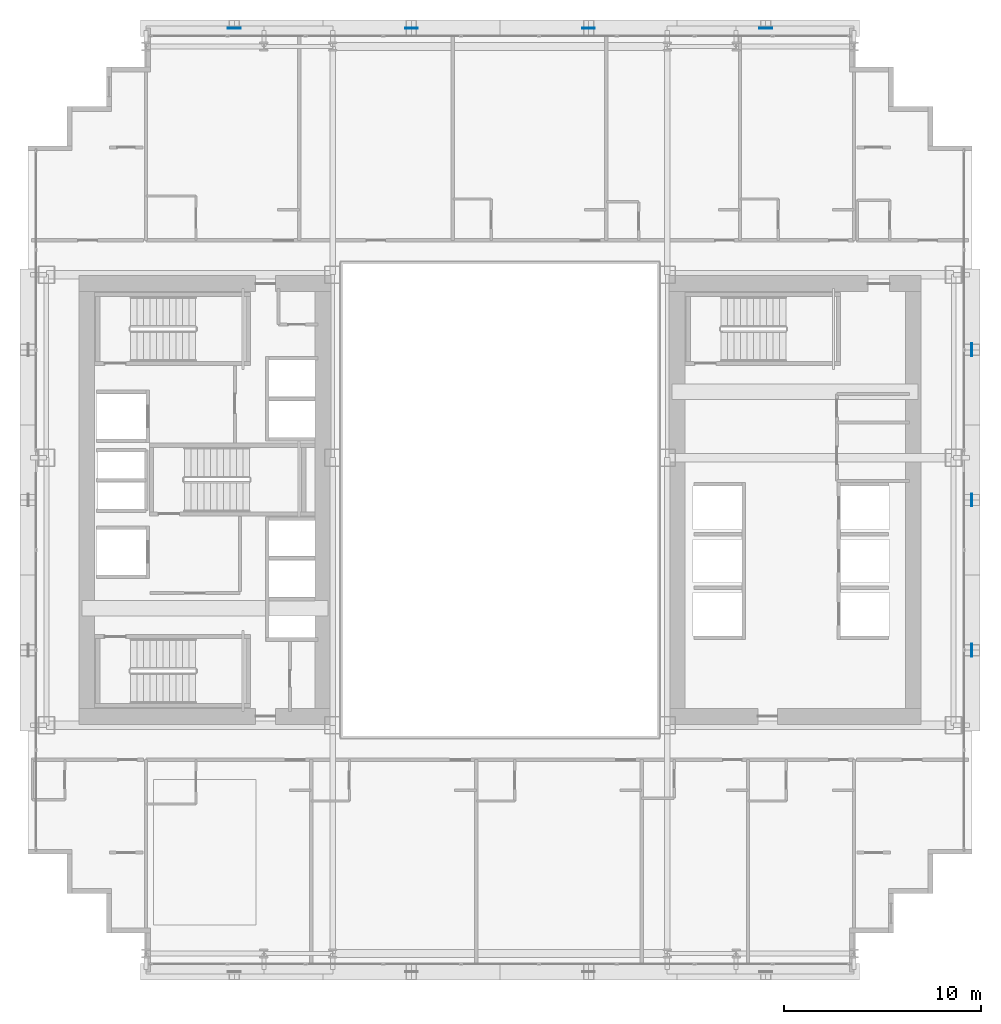
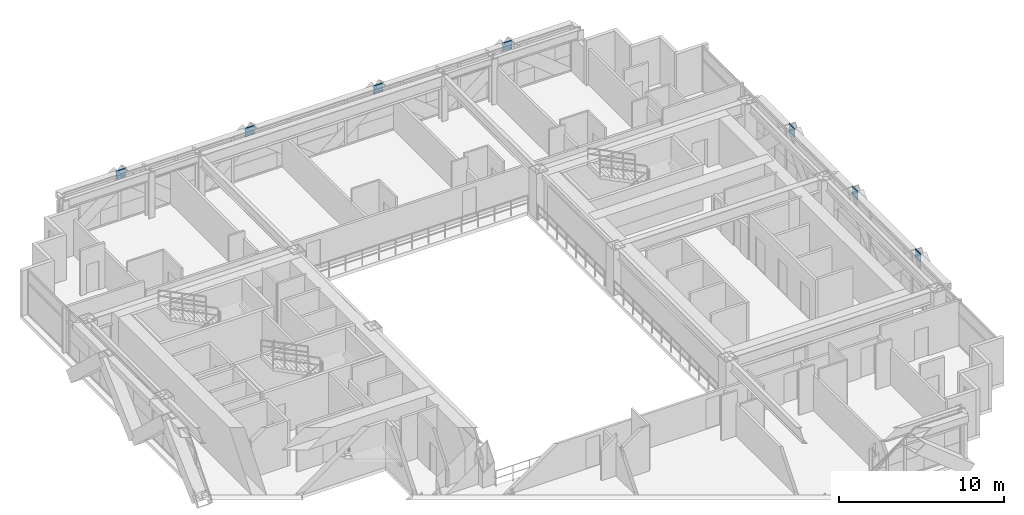
# One storey, part 26 of 35: 7 plates.
"""IFC4 building model written with IfcOpenShell, lengths in metres."""

import ifcopenshell
import ifcopenshell.guid

model = None  # the IFC model being written
_history = None  # IfcOwnerHistory: only IFC2X3 demands one
_inside = {}  # id of a spatial element -> (the spatial element, [elements in it])
_under = {}  # id of a project, library or spatial element -> (it, [spatial elements below it])
_declared = {}  # id of a project -> (the project, [libraries it declares])
_typed = {}  # id of a type object -> (the type object, [elements of that type])
_made_of = {}  # id of a material, layer set ... -> (it, [elements and type objects made of it])


def new_model(schema):
    """Start an empty IFC model of exactly this schema.

    Asked for "IFC4X3", IfcOpenShell would pick the latest addendum, in which some entities
    have other attributes; the version numbers below select the first issue.
    IFC2X3 requires an IfcOwnerHistory on every rooted entity: one is made here for all.
    """
    global model, _history
    if schema == "IFC4X3":
        model = ifcopenshell.file(schema_version=(4, 3, 0, 0))
    else:
        model = ifcopenshell.file(schema=schema)
    _inside.clear()
    _under.clear()
    _declared.clear()
    _typed.clear()
    _made_of.clear()
    _history = None
    if model.schema == "IFC2X3":
        org = make("IfcOrganization", Name="unknown")
        user = make(
            "IfcPersonAndOrganization",
            ThePerson=make("IfcPerson", FamilyName="unknown"),
            TheOrganization=org,
        )
        app = make(
            "IfcApplication",
            ApplicationDeveloper=org,
            Version="unknown",
            ApplicationFullName="unknown",
            ApplicationIdentifier="unknown",
        )
        _history = make(
            "IfcOwnerHistory",
            OwningUser=user,
            OwningApplication=app,
            ChangeAction="ADDED",
            CreationDate=0,
        )
    return model


def make(cls, **values):
    """One entity of the class cls with the attributes given. An attribute that is None is left unset."""
    return model.create_entity(
        cls, **{name: value for name, value in values.items() if value is not None}
    )


def rooted(cls, **values):
    """An entity with a GlobalId (a new one), such as an element, a storey or a relation."""
    return make(cls, GlobalId=ifcopenshell.guid.new(), OwnerHistory=_history, **values)


def si_unit(unit_type, name, prefix=None):
    """IfcSIUnit, for example si_unit("LENGTHUNIT", "METRE", prefix="MILLI")."""
    return make("IfcSIUnit", UnitType=unit_type, Prefix=prefix, Name=name)


def assignment(units):
    """IfcUnitAssignment: the units of a project."""
    return None if units is None else make("IfcUnitAssignment", Units=units)


def point(xyz):
    """IfcCartesianPoint."""
    return None if xyz is None else make("IfcCartesianPoint", Coordinates=xyz)


def direction(xyz):
    """IfcDirection."""
    return None if xyz is None else make("IfcDirection", DirectionRatios=xyz)


def frame(location, z_axis=None, x_axis=None):
    """IfcAxis2Placement3D, a coordinate frame: its origin and axes. An axis left out is left unset."""
    return make(
        "IfcAxis2Placement3D",
        Location=point(location),
        Axis=direction(z_axis),
        RefDirection=direction(x_axis),
    )


def frame_2d(location, x_axis=None):
    """IfcAxis2Placement2D, a coordinate frame in the plane: its origin and x axis."""
    return make(
        "IfcAxis2Placement2D", Location=point(location), RefDirection=direction(x_axis)
    )


def origin():
    """The frame at (0, 0, 0) with its axes left unset."""
    return frame((0.0, 0.0, 0.0))


def origin_2d():
    """The frame at (0, 0) in the plane with its x axis left unset."""
    return frame_2d((0.0, 0.0))


def place(relative_to, where):
    """IfcLocalPlacement: puts the frame where relative to a parent placement (None: the world)."""
    return make(
        "IfcLocalPlacement", PlacementRelTo=relative_to, RelativePlacement=where
    )


def context(
    kind, dimensions, precision=None, world=None, true_north=None, identifier=None
):
    """IfcGeometricRepresentationContext, for example the 3D "Model" context."""
    return make(
        "IfcGeometricRepresentationContext",
        ContextIdentifier=identifier,
        ContextType=kind,
        CoordinateSpaceDimension=dimensions,
        Precision=precision,
        WorldCoordinateSystem=world,
        TrueNorth=true_north,
    )


def subcontext(parent, identifier, kind, view, scale=None):
    """IfcGeometricRepresentationSubContext, for example "Body" below "Model"."""
    return make(
        "IfcGeometricRepresentationSubContext",
        ContextIdentifier=identifier,
        ContextType=kind,
        ParentContext=parent,
        TargetScale=scale,
        TargetView=view,
    )


def project(units=None, contexts=None):
    """IfcProject with its units and contexts."""
    return rooted(
        "IfcProject",
        Name="project",
        RepresentationContexts=contexts,
        UnitsInContext=assignment(units),
    )


def spatial(cls, under=None, at=None, **own):
    """A site, building, storey or space (cls), placed at a placement, below another one or the project."""
    s = rooted(cls, ObjectPlacement=at, **own)
    if under is not None:
        _under.setdefault(under.id(), (under, []))[1].append(s)
    return s


def profile(cls, at=None, kind="AREA", **sizes):
    """A parametric profile (cls). Its sizes go by their IFC names, for example OverallWidth=200.0."""
    return make(cls, ProfileType=kind, Position=at, **sizes)


def rectangle(**sizes):
    """IfcRectangleProfileDef."""
    return profile("IfcRectangleProfileDef", **sizes)


def extrude(swept, where, along, depth):
    """IfcExtrudedAreaSolid: the profile swept, set in the frame where, extruded along a direction by depth."""
    return make(
        "IfcExtrudedAreaSolid",
        SweptArea=swept,
        Position=where,
        ExtrudedDirection=direction(along),
        Depth=depth,
    )


def shape(context_of_items, identifier, shape_type, items):
    """IfcShapeRepresentation: the items that make up one representation, for example the "Body"."""
    return make(
        "IfcShapeRepresentation",
        ContextOfItems=context_of_items,
        RepresentationIdentifier=identifier,
        RepresentationType=shape_type,
        Items=items,
    )


def source(mapping_origin, context_of_items, identifier, shape_type, items):
    """IfcRepresentationMap: a shape defined once, which mapped items show again and again."""
    return make(
        "IfcRepresentationMap",
        MappingOrigin=mapping_origin,
        MappedRepresentation=shape(context_of_items, identifier, shape_type, items),
    )


def transform(
    local_origin,
    x_axis=None,
    y_axis=None,
    z_axis=None,
    scale=None,
    scale2=None,
    scale3=None,
    uniform=True,
):
    """IfcCartesianTransformationOperator3D, or its non-uniform kind. x_axis, y_axis, z_axis: its Axis1, 2, 3."""
    if uniform:
        return make(
            "IfcCartesianTransformationOperator3D",
            Axis1=direction(x_axis),
            Axis2=direction(y_axis),
            LocalOrigin=point(local_origin),
            Scale=scale,
            Axis3=direction(z_axis),
        )
    return make(
        "IfcCartesianTransformationOperator3DnonUniform",
        Axis1=direction(x_axis),
        Axis2=direction(y_axis),
        LocalOrigin=point(local_origin),
        Scale=scale,
        Axis3=direction(z_axis),
        Scale2=scale2,
        Scale3=scale3,
    )


def mapped(mapping_source, mapping_target):
    """IfcMappedItem: shows the shape of a source again, moved by a transform."""
    return make(
        "IfcMappedItem", MappingSource=mapping_source, MappingTarget=mapping_target
    )


def material(Name=None, Category=None):
    """IfcMaterial."""
    return make("IfcMaterial", Name=Name, Category=Category)


def layer(
    of_material, thickness, ventilated=None, Name=None, Category=None, Priority=None
):
    """IfcMaterialLayer: one layer of a wall or slab, of a material (None: an air gap)."""
    return make(
        "IfcMaterialLayer",
        Material=of_material,
        LayerThickness=thickness,
        IsVentilated=ventilated,
        Name=Name,
        Category=Category,
        Priority=Priority,
    )


def layer_set(layers, Name=None):
    """IfcMaterialLayerSet."""
    return make("IfcMaterialLayerSet", MaterialLayers=layers, LayerSetName=Name)


def made_of(thing, what):
    """Note that an element or type object is made of a material, layer set ...; save() writes the relation."""
    if what is not None:
        _made_of.setdefault(what.id(), (what, []))[1].append(thing)
    return thing


def type_object(cls, material=None, **own):
    """A type object (cls), such as IfcWallType, which elements share."""
    return made_of(rooted(cls, **own), material)


def element(
    cls,
    number,
    at=None,
    inside=None,
    cuts=None,
    type_object=None,
    material=None,
    context=None,
    identifier="Body",
    shape_type=None,
    held_by="IfcProductDefinitionShape",
    body=None,
    shapes=None,
    **own,
):
    """One element of the class cls, such as IfcWall. Its Tag is "e" and its number.

    at: its placement. inside: the storey or other place that contains it. cuts: it is an
    opening in that element (IfcRelVoidsElement). A single representation is given by context,
    identifier, shape_type and body (its items); several are given by shapes. held_by: the class
    of the entity that holds the representations. save() writes the other relations.
    """
    e = rooted(cls, Tag="e%d" % number, ObjectPlacement=at, **own)
    if body is not None:
        shapes = [shape(context, identifier, shape_type, body)]
    if shapes is not None:
        e.Representation = make(held_by, Representations=shapes)
    if inside is not None:
        _inside.setdefault(inside.id(), (inside, []))[1].append(e)
    if cuts is not None:
        rooted(
            "IfcRelVoidsElement", RelatingBuildingElement=cuts, RelatedOpeningElement=e
        )
    if type_object is not None:
        _typed.setdefault(type_object.id(), (type_object, []))[1].append(e)
    return made_of(e, material)


def aggregate(whole, parts):
    """IfcRelAggregates: a whole, such as a stair, and the parts it consists of."""
    return rooted("IfcRelAggregates", RelatingObject=whole, RelatedObjects=parts)


def save(model, path):
    """Write the relations noted so far, then the file.

    IfcRelAggregates (storeys below a building ...), IfcRelContainedInSpatialStructure (elements
    in a storey), IfcRelDefinesByType, IfcRelAssociatesMaterial and IfcRelDeclares: one each for
    every whole, place, type object, material and project.
    """
    for whole, parts in _under.values():
        aggregate(whole, parts)
    for where, things in _inside.values():
        rooted(
            "IfcRelContainedInSpatialStructure",
            RelatedElements=things,
            RelatingStructure=where,
        )
    for kind, things in _typed.values():
        rooted("IfcRelDefinesByType", RelatedObjects=things, RelatingType=kind)
    for what, things in _made_of.values():
        rooted("IfcRelAssociatesMaterial", RelatedObjects=things, RelatingMaterial=what)
    for by, libraries in _declared.values():
        rooted("IfcRelDeclares", RelatingContext=by, RelatedDefinitions=libraries)
    model.write(path)


model = new_model("IFC4")

# Units and contexts
model_context = context("Model", 3, precision=1e-05, world=origin(), true_north=direction((0.0, 1.0)))
body_context = subcontext(model_context, "Body", "Model", "MODEL_VIEW")
ifc_project = project(units=[si_unit("LENGTHUNIT", "METRE"), si_unit("AREAUNIT", "SQUARE_METRE"), si_unit("VOLUMEUNIT", "CUBIC_METRE"), si_unit("PLANEANGLEUNIT", "RADIAN"), si_unit("MASSUNIT", "GRAM", prefix="KILO")], contexts=[model_context])

# Site, building, storey
site_placement = place(None, origin())
site = spatial("IfcSite", under=ifc_project, at=site_placement, CompositionType="ELEMENT")
building_placement = place(site_placement, origin())
building = spatial("IfcBuilding", under=site, at=building_placement, Name="Ocotamira Hotel", CompositionType="ELEMENT")
storey_placement = place(building_placement, frame((0.0, 0.0, 63.60009765625)))
storey = spatial("IfcBuildingStorey", under=building, at=storey_placement, Name="L15", CompositionType="ELEMENT", Elevation=63.60009765625)

# Plates
ifc_material = material(Name="Pale-metal coated steel ASTM A572 Grade 50", Category="steel")
ifc_layer = layer(ifc_material, 0.0400390625)
ifc_layer_set = layer_set([ifc_layer], Name="Pale-metal coated steel ASTM A572 Grade 50")
plate_type = type_object("IfcPlateType", Name="PLT-GUSSET-40", PredefinedType="SHEET", material=ifc_layer_set)
shared_shape_1 = source(origin(), body_context, "Body", "SweptSolid", [
    extrude(rectangle(XDim=0.64990234375, YDim=0.0400390625, at=origin_2d()), origin(), (0.0, 0.0, 1.0), 0.64990234375),
])
for number, where, z_axis, x_axis, name in (
    (1, (18.5, 49.969970703125, 2.77490234375), (0.0, 0.0, 1.0), (1.0, 0.0, 0.0), "L15 Exoskeleton Diagrid N0.1 End Gusset B"),
    (2, (27.5, 49.969970703125, 2.77490234375), (0.0, 0.0, 1.0), (1.0, 0.0, 0.0), "L15 Exoskeleton Diagrid N1.1 End Gusset B"),
    (3, (36.5, 49.969970703125, 2.77490234375), (0.0, 0.0, 1.0), (1.0, 0.0, 0.0), "L15 Exoskeleton Diagrid N2.1 End Gusset B"),
    (4, (45.5, 49.969970703125, 2.77490234375), (0.0, 0.0, 1.0), (1.0, 0.0, 0.0), "L15 Exoskeleton Diagrid N3.1 End Gusset B"),
):
    element("IfcPlate", number, at=place(storey_placement, frame(where, z_axis=z_axis, x_axis=x_axis)), inside=storey, type_object=plate_type, Name=name, PredefinedType="SHEET", context=body_context, shape_type="MappedRepresentation", body=[
        mapped(shared_shape_1, transform((0.0, 0.0, 0.0), scale=1.0)),
    ])
shared_shape_2 = source(origin(), body_context, "Body", "SweptSolid", [
    extrude(rectangle(XDim=0.0400390625, YDim=0.64990234375, at=origin_2d()), origin(), (0.0, 0.0, 1.0), 0.64990234375),
])
for number, where, z_axis, x_axis, name in (
    (5, (55.969970703125, 18.36669921875, 2.77490234375), (0.0, 0.0, 1.0), (1.0, 0.0, 0.0), "L15 Exoskeleton Diagrid E0.1 End Gusset B"),
    (6, (55.969970703125, 26.0, 2.77490234375), (0.0, 0.0, 1.0), (1.0, 0.0, 0.0), "L15 Exoskeleton Diagrid E1.1 End Gusset B"),
    (7, (55.969970703125, 33.63330078125, 2.77490234375), (0.0, 0.0, 1.0), (1.0, 0.0, 0.0), "L15 Exoskeleton Diagrid E2.1 End Gusset B"),
):
    element("IfcPlate", number, at=place(storey_placement, frame(where, z_axis=z_axis, x_axis=x_axis)), inside=storey, type_object=plate_type, Name=name, PredefinedType="SHEET", context=body_context, shape_type="MappedRepresentation", body=[
        mapped(shared_shape_2, transform((0.0, 0.0, 0.0), scale=1.0)),
    ])

save(model, "model.ifc")
